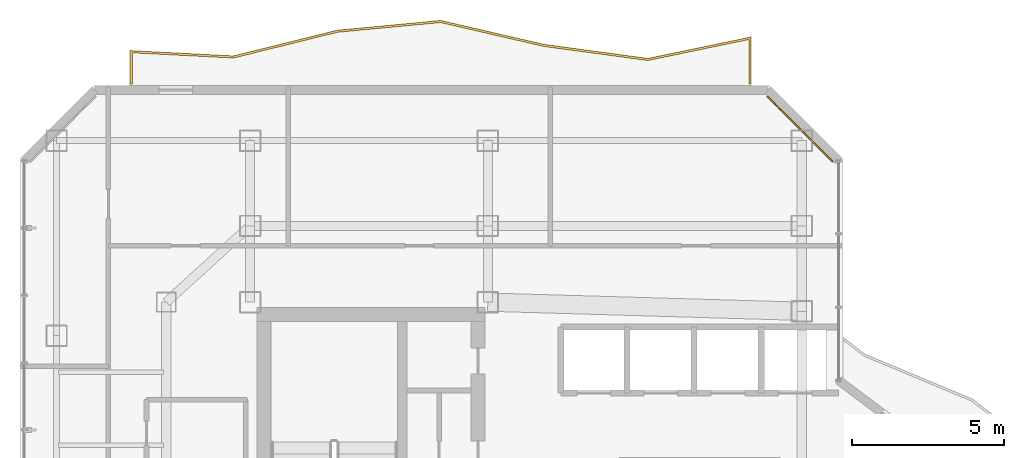
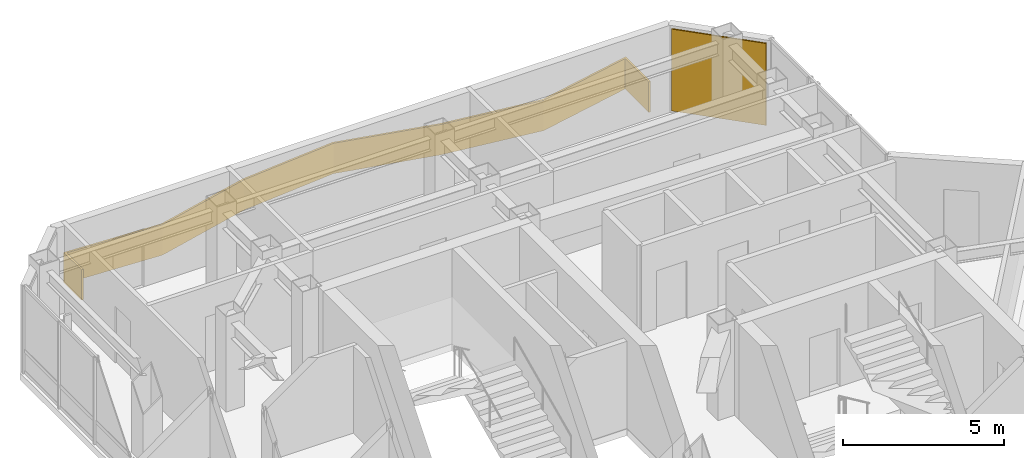
# One storey, part 25 of 25: 1 covering, 1 railing.
"""IFC4 building model written with IfcOpenShell, lengths in metres."""

from ifc_helpers import new_model, si_unit, direction, frame, origin, origin_2d, place, context, subcontext, project, spatial, polyline, rectangle, outline, extrude, material, layer, layer_set, type_object, element, save


model = new_model("IFC4")

# Units and contexts
model_context = context("Model", 3, precision=1e-05, world=origin(), true_north=direction((0.0, 1.0)))
body_context = subcontext(model_context, "Body", "Model", "MODEL_VIEW")
ifc_project = project(units=[si_unit("LENGTHUNIT", "METRE"), si_unit("AREAUNIT", "SQUARE_METRE"), si_unit("VOLUMEUNIT", "CUBIC_METRE"), si_unit("PLANEANGLEUNIT", "RADIAN"), si_unit("MASSUNIT", "GRAM", prefix="KILO")], contexts=[model_context])

# Site, building, storey
site_placement = place(None, origin())
site = spatial("IfcSite", under=ifc_project, at=site_placement, CompositionType="ELEMENT")
building_placement = place(site_placement, origin())
building = spatial("IfcBuilding", under=site, at=building_placement, Name="Hatsunagi Terrace Concourse", CompositionType="ELEMENT")
storey_placement = place(building_placement, frame((0.0, 0.0, 231.14990234375)))
storey = spatial("IfcBuildingStorey", under=building, at=storey_placement, Name="L61", CompositionType="ELEMENT", Elevation=231.14990234375)

# Railing
ifc_material_1 = material(Name="Laminated Glass and Stainless Steel Guard", Category="steel")
ifc_layer_1 = layer(ifc_material_1, 0.070068359375)
ifc_layer_set_1 = layer_set([ifc_layer_1], Name="BalconyGlassGuardRail_1150")
railing_type = type_object("IfcRailingType", Name="BalconyGlassGuardRail_1150", PredefinedType="BALUSTRADE", material=ifc_layer_set_1)
railing_placement = place(storey_placement, origin())
element("IfcRailing", 1, at=railing_placement, inside=storey, type_object=railing_type, Name="Engawa Balcony Guard GRD-01 L61-BN-1", PredefinedType="BALUSTRADE", context=body_context, shape_type="SweptSolid", body=[
    extrude(outline(polyline([(21.614990234375, 50.449951171875), (21.68505859375, 50.449951171875), (21.68505859375, 51.478271484375), (25.00830078125, 51.307861328125), (28.413818359375, 52.1513671875), (31.794677734375, 52.470703125), (35.184814453125, 51.6875), (38.603271484375, 51.2255859375), (41.9150390625, 51.9140625), (41.9150390625, 50.449951171875), (41.985107421875, 50.449951171875), (41.985107421875, 52.0), (38.6005859375, 51.29638671875), (35.197265625, 51.756591796875), (31.79931640625, 52.54150390625), (28.402099609375, 52.220703125), (25.001708984375, 51.378173828125), (21.614990234375, 51.5517578125), (21.614990234375, 50.449951171875)])), origin(), (0.0, 0.0, 1.0), 1.150146484375),
])

# Covering
ifc_material_2 = material(Name="Unglazed Warm Terracotta Rainscreen Tile", Category="masonry")
ifc_layer_2 = layer(ifc_material_2, 0.044921875)
ifc_layer_set_2 = layer_set([ifc_layer_2], Name="TerracottaRainscreenCladding_45")
covering_type = type_object("IfcCoveringType", Name="TerracottaRainscreenCladding_45", PredefinedType="CLADDING", material=ifc_layer_set_2)
covering_placement = place(storey_placement, frame((43.5859375, 48.986083984375, 0.10009765625), z_axis=(0.0, 0.0, 1.0), x_axis=(0.707106781187, -0.707106781187, 0.0)))
element("IfcCovering", 2, at=covering_placement, inside=storey, type_object=covering_type, Name="Terracotta Rainscreen Cladding L61-11", PredefinedType="CLADDING", context=body_context, shape_type="SweptSolid", body=[
    extrude(rectangle(XDim=3.0380859375, YDim=0.044921875, at=origin_2d()), origin(), (0.0, 0.0, 1.0), 3.10009765625),
])

save(model, "model.ifc")
